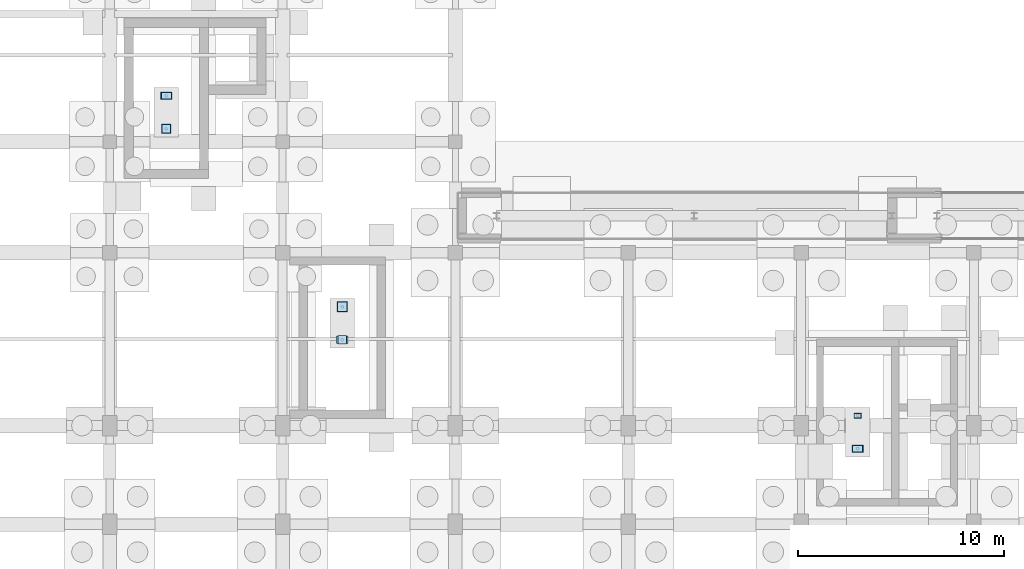
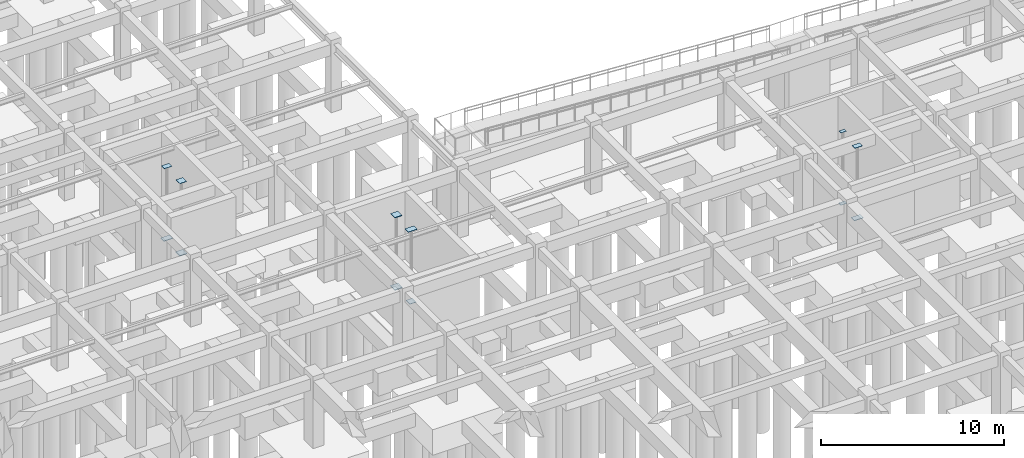
# One storey, part 33 of 49: 12 plates.
"""IFC4 building model written with IfcOpenShell, lengths in metres."""

from ifc_helpers import new_model, si_unit, direction, frame, origin, origin_2d, place, context, subcontext, project, spatial, rectangle, extrude, material, layer, layer_set, type_object, element, save


model = new_model("IFC4")

# Units and contexts
model_context = context("Model", 3, precision=1e-05, world=origin(), true_north=direction((0.0, 1.0)))
body_context = subcontext(model_context, "Body", "Model", "MODEL_VIEW")
ifc_project = project(units=[si_unit("LENGTHUNIT", "METRE"), si_unit("AREAUNIT", "SQUARE_METRE"), si_unit("VOLUMEUNIT", "CUBIC_METRE"), si_unit("PLANEANGLEUNIT", "RADIAN"), si_unit("MASSUNIT", "GRAM", prefix="KILO")], contexts=[model_context])

# Site, building, storey
site_placement = place(None, origin())
site = spatial("IfcSite", under=ifc_project, at=site_placement, CompositionType="ELEMENT")
building_placement = place(site_placement, origin())
building = spatial("IfcBuilding", under=site, at=building_placement, Name="Krzemoval Escarpment Law Courts", CompositionType="ELEMENT")
storey_placement = place(building_placement, frame((0.0, 0.0, -4.800048828125)))
storey = spatial("IfcBuildingStorey", under=building, at=storey_placement, Name="B1", CompositionType="ELEMENT", Elevation=-4.800048828125)

# Plates
ifc_material_1 = material(Name="Steel S355", Category="steel")
ifc_layer_1 = layer(ifc_material_1, 0.02392578125)
ifc_layer_set_1 = layer_set([ifc_layer_1], Name="Steel S355")
plate_type_1 = type_object("IfcPlateType", Name="PLT-FLG-24", PredefinedType="USERDEFINED", material=ifc_layer_set_1)
for number, where, z_axis, x_axis, name in (
    (1, (27.949951171875, 41.429931640625, 4.7880859375), (0.0, 0.0, 1.0), (1.0, 0.0, 0.0), "Gusset and End-Cap Plate ECP-0373"),
    (2, (36.5, 31.169921875, -0.011962890625), (0.0, 0.0, 1.0), (1.0, 0.0, 0.0), "Gusset and End-Cap Plate ECP-0394"),
):
    element("IfcPlate", number, at=place(storey_placement, frame(where, z_axis=z_axis, x_axis=x_axis)), inside=storey, type_object=plate_type_1, Name=name, ObjectType="FLANGE_PLATE", PredefinedType="USERDEFINED", context=body_context, shape_type="SweptSolid", body=[
        extrude(rectangle(XDim=0.419921875, YDim=0.419921875, at=origin_2d()), origin(), (0.0, 0.0, 1.0), 0.02392578125),
    ])
ifc_material_2 = material(Name="Steel S355", Category="steel")
ifc_layer_2 = layer(ifc_material_2, 0.034912109375)
ifc_layer_set_2 = layer_set([ifc_layer_2], Name="Steel S355")
plate_type_2 = type_object("IfcPlateType", Name="PLT-FLG-35", PredefinedType="USERDEFINED", material=ifc_layer_set_2)
for number, where, z_axis, x_axis, name in (
    (3, (27.949951171875, 41.429931640625, -0.017578125), (0.0, 0.0, 1.0), (1.0, 0.0, 0.0), "Gusset and End-Cap Plate ECP-0372"),
    (4, (36.5, 32.77001953125, 4.78271484375), (0.0, 0.0, 1.0), (1.0, 0.0, 0.0), "Gusset and End-Cap Plate ECP-0393"),
):
    element("IfcPlate", number, at=place(storey_placement, frame(where, z_axis=z_axis, x_axis=x_axis)), inside=storey, type_object=plate_type_2, Name=name, ObjectType="FLANGE_PLATE", PredefinedType="USERDEFINED", context=body_context, shape_type="SweptSolid", body=[
        extrude(rectangle(XDim=0.4599609375, YDim=0.4599609375, at=origin_2d()), origin(), (0.0, 0.0, 1.0), 0.034912109375),
    ])
ifc_material_3 = material(Name="Steel S355", Category="steel")
ifc_layer_3 = layer(ifc_material_3, 0.0400390625)
ifc_layer_set_3 = layer_set([ifc_layer_3], Name="Steel S355")
plate_type_3 = type_object("IfcPlateType", Name="PLT-FLG-40", PredefinedType="USERDEFINED", material=ifc_layer_set_3)
plate_1_placement = place(storey_placement, frame((36.5, 32.77001953125, -0.02001953125), z_axis=(0.0, 0.0, 1.0), x_axis=(1.0, 0.0, 0.0)))
element("IfcPlate", 5, at=plate_1_placement, inside=storey, type_object=plate_type_3, Name="Gusset and End-Cap Plate ECP-0392", ObjectType="FLANGE_PLATE", PredefinedType="USERDEFINED", context=body_context, shape_type="SweptSolid", body=[
    extrude(rectangle(XDim=0.5, YDim=0.5, at=origin_2d()), origin(), (0.0, 0.0, 1.0), 0.0400390625),
])
ifc_material_4 = material(Name="Steel S355", Category="steel")
ifc_layer_4 = layer(ifc_material_4, 0.011962890625)
ifc_layer_set_4 = layer_set([ifc_layer_4], Name="Steel S355")
plate_type_4 = type_object("IfcPlateType", Name="PLT-GUS-12", PredefinedType="USERDEFINED", material=ifc_layer_set_4)
plate_2_placement = place(storey_placement, frame((61.550048828125, 27.47998046875, 4.7939453125), z_axis=(0.0, 0.0, 1.0), x_axis=(1.0, 0.0, 0.0)))
element("IfcPlate", 6, at=plate_2_placement, inside=storey, type_object=plate_type_4, Name="Gusset and End-Cap Plate ECP-0363", ObjectType="GUSSET_PLATE", PredefinedType="USERDEFINED", context=body_context, shape_type="SweptSolid", body=[
    extrude(rectangle(XDim=0.340087890625, YDim=0.219970703125, at=origin_2d()), origin(), (0.0, 0.0, 1.0), 0.011962890625),
])
ifc_material_5 = material(Name="Steel S355", Category="steel")
ifc_layer_5 = layer(ifc_material_5, 0.01611328125)
ifc_layer_set_5 = layer_set([ifc_layer_5], Name="Steel S355")
plate_type_5 = type_object("IfcPlateType", Name="PLT-GUS-16", PredefinedType="USERDEFINED", material=ifc_layer_set_5)
plate_3_placement = place(storey_placement, frame((61.550048828125, 27.47998046875, -0.008056640625), z_axis=(0.0, 0.0, 1.0), x_axis=(1.0, 0.0, 0.0)))
element("IfcPlate", 7, at=plate_3_placement, inside=storey, type_object=plate_type_5, Name="Gusset and End-Cap Plate ECP-0362", ObjectType="GUSSET_PLATE", PredefinedType="USERDEFINED", context=body_context, shape_type="SweptSolid", body=[
    extrude(rectangle(XDim=0.3798828125, YDim=0.260009765625, at=origin_2d()), origin(), (0.0, 0.0, 1.0), 0.01611328125),
])
ifc_material_6 = material(Name="Steel S355", Category="steel")
ifc_layer_6 = layer(ifc_material_6, 0.02001953125)
ifc_layer_set_6 = layer_set([ifc_layer_6], Name="Steel S355")
plate_type_6 = type_object("IfcPlateType", Name="PLT-GUS-20", PredefinedType="USERDEFINED", material=ifc_layer_set_6)
for number, where, z_axis, x_axis, name in (
    (8, (61.550048828125, 25.8798828125, 4.7900390625), (0.0, 0.0, 1.0), (1.0, 0.0, 0.0), "Gusset and End-Cap Plate ECP-0361"),
    (9, (27.949951171875, 43.030029296875, 4.7900390625), (0.0, 0.0, 1.0), (1.0, 0.0, 0.0), "Gusset and End-Cap Plate ECP-0375"),
):
    element("IfcPlate", number, at=place(storey_placement, frame(where, z_axis=z_axis, x_axis=x_axis)), inside=storey, type_object=plate_type_6, Name=name, ObjectType="GUSSET_PLATE", PredefinedType="USERDEFINED", context=body_context, shape_type="SweptSolid", body=[
        extrude(rectangle(XDim=0.47998046875, YDim=0.320068359375, at=origin_2d()), origin(), (0.0, 0.0, 1.0), 0.02001953125),
    ])
ifc_material_7 = material(Name="Steel S355", Category="steel")
ifc_layer_7 = layer(ifc_material_7, 0.030029296875)
ifc_layer_set_7 = layer_set([ifc_layer_7], Name="Steel S355")
plate_type_7 = type_object("IfcPlateType", Name="PLT-GUS-30", PredefinedType="USERDEFINED", material=ifc_layer_set_7)
for number, where, z_axis, x_axis, name in (
    (10, (61.550048828125, 25.8798828125, -0.01513671875), (0.0, 0.0, 1.0), (1.0, 0.0, 0.0), "Gusset and End-Cap Plate ECP-0360"),
    (11, (27.949951171875, 43.030029296875, -0.01513671875), (0.0, 0.0, 1.0), (1.0, 0.0, 0.0), "Gusset and End-Cap Plate ECP-0374"),
    (12, (36.5, 31.169921875, 4.78515625), (0.0, 0.0, 1.0), (1.0, 0.0, 0.0), "Gusset and End-Cap Plate ECP-0395"),
):
    element("IfcPlate", number, at=place(storey_placement, frame(where, z_axis=z_axis, x_axis=x_axis)), inside=storey, type_object=plate_type_7, Name=name, ObjectType="GUSSET_PLATE", PredefinedType="USERDEFINED", context=body_context, shape_type="SweptSolid", body=[
        extrude(rectangle(XDim=0.56005859375, YDim=0.360107421875, at=origin_2d()), origin(), (0.0, 0.0, 1.0), 0.030029296875),
    ])

save(model, "model.ifc")
